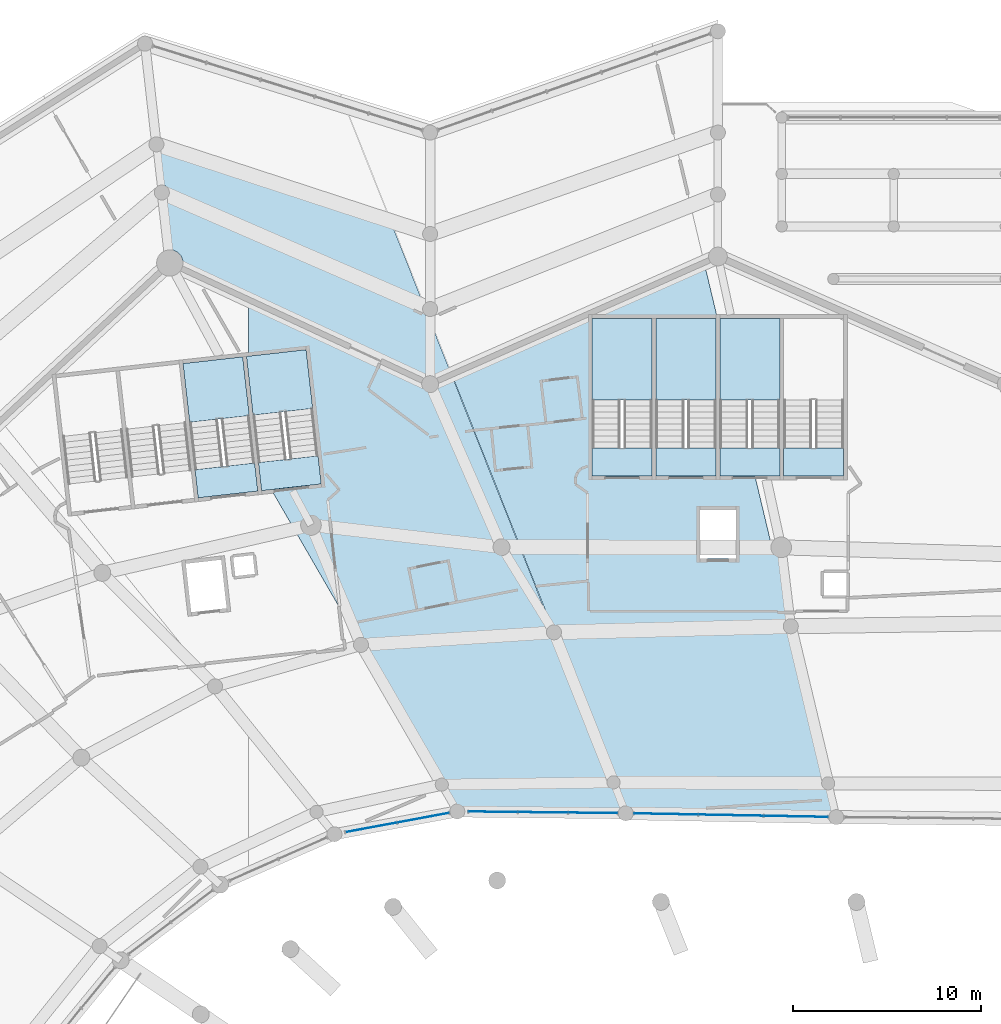
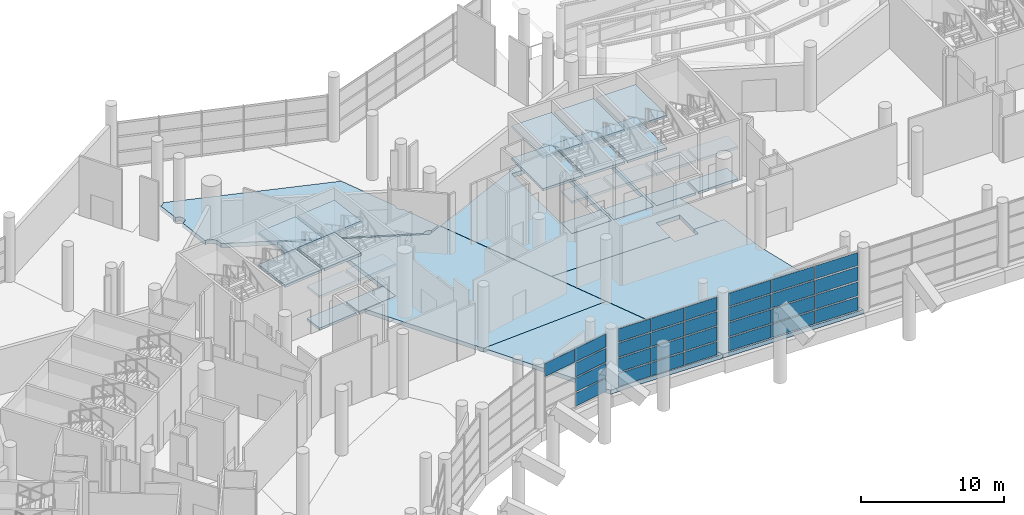
# One storey, part 144 of 271: 29 plates, 27 slabs, 9 elements without a shape of their own.
"""IFC4 building model written with IfcOpenShell, lengths in metres."""

from ifc_helpers import new_model, si_unit, direction, frame, origin, origin_2d, place, context, subcontext, project, spatial, polyline, rectangle, outline, extrude, material, layer, layer_set, type_object, element, aggregate, save


model = new_model("IFC4")

# Units and contexts
model_context = context("Model", 3, precision=1e-05, world=origin(), true_north=direction((0.0, 1.0)))
body_context = subcontext(model_context, "Body", "Model", "MODEL_VIEW")
ifc_project = project(units=[si_unit("LENGTHUNIT", "METRE"), si_unit("AREAUNIT", "SQUARE_METRE"), si_unit("VOLUMEUNIT", "CUBIC_METRE"), si_unit("PLANEANGLEUNIT", "RADIAN"), si_unit("MASSUNIT", "GRAM", prefix="KILO")], contexts=[model_context])

# Site, building, storey
site_placement = place(None, origin())
site = spatial("IfcSite", under=ifc_project, at=site_placement, CompositionType="ELEMENT")
building_placement = place(site_placement, origin())
building = spatial("IfcBuilding", under=site, at=building_placement, Name="Meseta Stadium", CompositionType="ELEMENT")
storey_placement = place(building_placement, frame((0.0, 0.0, 6.5)))
storey = spatial("IfcBuildingStorey", under=building, at=storey_placement, Name="L01", CompositionType="ELEMENT", Elevation=6.5)

# Curtain wall, plates
ifc_material_1 = material(Name="Aluminium", Category="aluminium")
ifc_layer_1 = layer(ifc_material_1, 0.199951171875)
ifc_layer_set_1 = layer_set([ifc_layer_1], Name="Club glazing curtain wall")
curtain_wall_type = type_object("IfcCurtainWallType", Name="Club glazing curtain wall", PredefinedType="NOTDEFINED", material=ifc_layer_set_1)
curtain_wall_1_placement = place(storey_placement, origin())
curtain_wall_1 = element("IfcCurtainWall", 1, at=curtain_wall_1_placement, inside=storey, type_object=curtain_wall_type, Name="Club glazing bay 20", PredefinedType="NOTDEFINED")
ifc_material_2 = material(Name="Glass", Category="glass")
ifc_layer_2 = layer(ifc_material_2, 0.028076171875)
ifc_layer_set_2 = layer_set([ifc_layer_2], Name="CW glass panel 28")
plate_type = type_object("IfcPlateType", Name="CW glass panel 28", PredefinedType="CURTAIN_PANEL", material=ifc_layer_set_2)
plate_1_placement = place(storey_placement, frame((-18.847900390625, 75.569091796875, 0.1201171875), z_axis=(0.0, 0.0, 1.0), x_axis=(-0.99983100259, 0.018383858671, 0.0)))
plate_1 = element("IfcPlate", 2, at=plate_1_placement, type_object=plate_type, Name="CWC panel 1.1", PredefinedType="CURTAIN_PANEL", context=body_context, shape_type="SweptSolid", body=[
    extrude(rectangle(XDim=3.382080078125, YDim=0.028076171875, at=origin_2d()), origin(), (0.0, 0.0, 1.0), 1.107421875),
])
plate_2_placement = place(storey_placement, frame((-18.847900390625, 75.569091796875, 1.347412109375), z_axis=(0.0, 0.0, 1.0), x_axis=(-0.99983100259, 0.018383858671, 0.0)))
plate_2 = element("IfcPlate", 3, at=plate_2_placement, type_object=plate_type, Name="CWC panel 1.2", PredefinedType="CURTAIN_PANEL", context=body_context, shape_type="SweptSolid", body=[
    extrude(rectangle(XDim=3.382080078125, YDim=0.028076171875, at=origin_2d()), origin(), (0.0, 0.0, 1.0), 1.16748046875),
])
plate_3_placement = place(storey_placement, frame((-18.847900390625, 75.569091796875, 2.635009765625), z_axis=(0.0, 0.0, 1.0), x_axis=(-0.99983100259, 0.018383858671, 0.0)))
plate_3 = element("IfcPlate", 4, at=plate_3_placement, type_object=plate_type, Name="CWC panel 1.3", PredefinedType="CURTAIN_PANEL", context=body_context, shape_type="SweptSolid", body=[
    extrude(rectangle(XDim=3.382080078125, YDim=0.028076171875, at=origin_2d()), origin(), (0.0, 0.0, 1.0), 1.16748046875),
])
plate_4_placement = place(storey_placement, frame((-18.847900390625, 75.569091796875, 3.922607421875), z_axis=(0.0, 0.0, 1.0), x_axis=(-0.99983100259, 0.018383858671, 0.0)))
plate_4 = element("IfcPlate", 5, at=plate_4_placement, type_object=plate_type, Name="CWC panel 1.4", PredefinedType="CURTAIN_PANEL", context=body_context, shape_type="SweptSolid", body=[
    extrude(rectangle(XDim=3.382080078125, YDim=0.028076171875, at=origin_2d()), origin(), (0.0, 0.0, 1.0), 1.107421875),
])
plate_5_placement = place(storey_placement, frame((-22.30419921875, 75.632568359375, 0.1201171875), z_axis=(0.0, 0.0, 1.0), x_axis=(-0.99983100259, 0.018383858671, 0.0)))
plate_5 = element("IfcPlate", 6, at=plate_5_placement, type_object=plate_type, Name="CWC panel 2.1", PredefinedType="CURTAIN_PANEL", context=body_context, shape_type="SweptSolid", body=[
    extrude(rectangle(XDim=3.411865234375, YDim=0.028076171875, at=origin_2d()), origin(), (0.0, 0.0, 1.0), 1.107421875),
])
plate_6_placement = place(storey_placement, frame((-22.30419921875, 75.632568359375, 1.347412109375), z_axis=(0.0, 0.0, 1.0), x_axis=(-0.99983100259, 0.018383858671, 0.0)))
plate_6 = element("IfcPlate", 7, at=plate_6_placement, type_object=plate_type, Name="CWC panel 2.2", PredefinedType="CURTAIN_PANEL", context=body_context, shape_type="SweptSolid", body=[
    extrude(rectangle(XDim=3.411865234375, YDim=0.028076171875, at=origin_2d()), origin(), (0.0, 0.0, 1.0), 1.16748046875),
])
plate_7_placement = place(storey_placement, frame((-22.30419921875, 75.632568359375, 2.635009765625), z_axis=(0.0, 0.0, 1.0), x_axis=(-0.99983100259, 0.018383858671, 0.0)))
plate_7 = element("IfcPlate", 8, at=plate_7_placement, type_object=plate_type, Name="CWC panel 2.3", PredefinedType="CURTAIN_PANEL", context=body_context, shape_type="SweptSolid", body=[
    extrude(rectangle(XDim=3.411865234375, YDim=0.028076171875, at=origin_2d()), origin(), (0.0, 0.0, 1.0), 1.16748046875),
])
plate_8_placement = place(storey_placement, frame((-22.30419921875, 75.632568359375, 3.922607421875), z_axis=(0.0, 0.0, 1.0), x_axis=(-0.99983100259, 0.018383858671, 0.0)))
plate_8 = element("IfcPlate", 9, at=plate_8_placement, type_object=plate_type, Name="CWC panel 2.4", PredefinedType="CURTAIN_PANEL", context=body_context, shape_type="SweptSolid", body=[
    extrude(rectangle(XDim=3.411865234375, YDim=0.028076171875, at=origin_2d()), origin(), (0.0, 0.0, 1.0), 1.107421875),
])
plate_9_placement = place(storey_placement, frame((-25.7607421875, 75.696044921875, 0.1201171875), z_axis=(0.0, 0.0, 1.0), x_axis=(-0.99983100259, 0.018383858671, 0.0)))
plate_9 = element("IfcPlate", 10, at=plate_9_placement, type_object=plate_type, Name="CWC panel 3.1", PredefinedType="CURTAIN_PANEL", context=body_context, shape_type="SweptSolid", body=[
    extrude(rectangle(XDim=3.382080078125, YDim=0.028076171875, at=origin_2d()), origin(), (0.0, 0.0, 1.0), 1.107421875),
])
plate_10_placement = place(storey_placement, frame((-25.7607421875, 75.696044921875, 1.347412109375), z_axis=(0.0, 0.0, 1.0), x_axis=(-0.99983100259, 0.018383858671, 0.0)))
plate_10 = element("IfcPlate", 11, at=plate_10_placement, type_object=plate_type, Name="CWC panel 3.2", PredefinedType="CURTAIN_PANEL", context=body_context, shape_type="SweptSolid", body=[
    extrude(rectangle(XDim=3.382080078125, YDim=0.028076171875, at=origin_2d()), origin(), (0.0, 0.0, 1.0), 1.16748046875),
])
plate_11_placement = place(storey_placement, frame((-25.7607421875, 75.696044921875, 2.635009765625), z_axis=(0.0, 0.0, 1.0), x_axis=(-0.99983100259, 0.018383858671, 0.0)))
plate_11 = element("IfcPlate", 12, at=plate_11_placement, type_object=plate_type, Name="CWC panel 3.3", PredefinedType="CURTAIN_PANEL", context=body_context, shape_type="SweptSolid", body=[
    extrude(rectangle(XDim=3.382080078125, YDim=0.028076171875, at=origin_2d()), origin(), (0.0, 0.0, 1.0), 1.16748046875),
])
plate_12_placement = place(storey_placement, frame((-25.7607421875, 75.696044921875, 3.922607421875), z_axis=(0.0, 0.0, 1.0), x_axis=(-0.99983100259, 0.018383858671, 0.0)))
plate_12 = element("IfcPlate", 13, at=plate_12_placement, type_object=plate_type, Name="CWC panel 3.4", PredefinedType="CURTAIN_PANEL", context=body_context, shape_type="SweptSolid", body=[
    extrude(rectangle(XDim=3.382080078125, YDim=0.028076171875, at=origin_2d()), origin(), (0.0, 0.0, 1.0), 1.107421875),
])
aggregate(curtain_wall_1, [plate_1, plate_2, plate_3, plate_4, plate_5, plate_6, plate_7, plate_8, plate_9, plate_10, plate_11, plate_12])

curtain_wall_2_placement = place(storey_placement, origin())
curtain_wall_2 = element("IfcCurtainWall", 14, at=curtain_wall_2_placement, inside=storey, type_object=curtain_wall_type, Name="Club glazing bay 21", PredefinedType="NOTDEFINED")
plate_13_placement = place(storey_placement, frame((-29.662109375, 75.754638671875, 0.1201171875), z_axis=(0.0, 0.0, 1.0), x_axis=(-0.999941218201, 0.010842515481, 0.0)))
plate_13 = element("IfcPlate", 15, at=plate_13_placement, type_object=plate_type, Name="CWC panel 1.1", PredefinedType="CURTAIN_PANEL", context=body_context, shape_type="SweptSolid", body=[
    extrude(rectangle(XDim=2.5830078125, YDim=0.028076171875, at=origin_2d()), origin(), (0.0, 0.0, 1.0), 1.107421875),
])
plate_14_placement = place(storey_placement, frame((-29.662109375, 75.754638671875, 1.347412109375), z_axis=(0.0, 0.0, 1.0), x_axis=(-0.999941218201, 0.010842515481, 0.0)))
plate_14 = element("IfcPlate", 16, at=plate_14_placement, type_object=plate_type, Name="CWC panel 1.2", PredefinedType="CURTAIN_PANEL", context=body_context, shape_type="SweptSolid", body=[
    extrude(rectangle(XDim=2.5830078125, YDim=0.028076171875, at=origin_2d()), origin(), (0.0, 0.0, 1.0), 1.16748046875),
])
plate_15_placement = place(storey_placement, frame((-29.662109375, 75.754638671875, 2.635009765625), z_axis=(0.0, 0.0, 1.0), x_axis=(-0.999941218201, 0.010842515481, 0.0)))
plate_15 = element("IfcPlate", 17, at=plate_15_placement, type_object=plate_type, Name="CWC panel 1.3", PredefinedType="CURTAIN_PANEL", context=body_context, shape_type="SweptSolid", body=[
    extrude(rectangle(XDim=2.5830078125, YDim=0.028076171875, at=origin_2d()), origin(), (0.0, 0.0, 1.0), 1.16748046875),
])
plate_16_placement = place(storey_placement, frame((-29.662109375, 75.754638671875, 3.922607421875), z_axis=(0.0, 0.0, 1.0), x_axis=(-0.999941218201, 0.010842515481, 0.0)))
plate_16 = element("IfcPlate", 18, at=plate_16_placement, type_object=plate_type, Name="CWC panel 1.4", PredefinedType="CURTAIN_PANEL", context=body_context, shape_type="SweptSolid", body=[
    extrude(rectangle(XDim=2.5830078125, YDim=0.028076171875, at=origin_2d()), origin(), (0.0, 0.0, 1.0), 1.107421875),
])
plate_17_placement = place(storey_placement, frame((-32.320068359375, 75.783447265625, 0.1201171875), z_axis=(0.0, 0.0, 1.0), x_axis=(-0.999941218201, 0.010842515481, 0.0)))
plate_17 = element("IfcPlate", 19, at=plate_17_placement, type_object=plate_type, Name="CWC panel 2.1", PredefinedType="CURTAIN_PANEL", context=body_context, shape_type="SweptSolid", body=[
    extrude(rectangle(XDim=2.613037109375, YDim=0.028076171875, at=origin_2d()), origin(), (0.0, 0.0, 1.0), 1.107421875),
])
plate_18_placement = place(storey_placement, frame((-32.320068359375, 75.783447265625, 1.347412109375), z_axis=(0.0, 0.0, 1.0), x_axis=(-0.999941218201, 0.010842515481, 0.0)))
plate_18 = element("IfcPlate", 20, at=plate_18_placement, type_object=plate_type, Name="CWC panel 2.2", PredefinedType="CURTAIN_PANEL", context=body_context, shape_type="SweptSolid", body=[
    extrude(rectangle(XDim=2.613037109375, YDim=0.028076171875, at=origin_2d()), origin(), (0.0, 0.0, 1.0), 1.16748046875),
])
plate_19_placement = place(storey_placement, frame((-32.320068359375, 75.783447265625, 2.635009765625), z_axis=(0.0, 0.0, 1.0), x_axis=(-0.999941218201, 0.010842515481, 0.0)))
plate_19 = element("IfcPlate", 21, at=plate_19_placement, type_object=plate_type, Name="CWC panel 2.3", PredefinedType="CURTAIN_PANEL", context=body_context, shape_type="SweptSolid", body=[
    extrude(rectangle(XDim=2.613037109375, YDim=0.028076171875, at=origin_2d()), origin(), (0.0, 0.0, 1.0), 1.16748046875),
])
plate_20_placement = place(storey_placement, frame((-32.320068359375, 75.783447265625, 3.922607421875), z_axis=(0.0, 0.0, 1.0), x_axis=(-0.999941218201, 0.010842515481, 0.0)))
plate_20 = element("IfcPlate", 22, at=plate_20_placement, type_object=plate_type, Name="CWC panel 2.4", PredefinedType="CURTAIN_PANEL", context=body_context, shape_type="SweptSolid", body=[
    extrude(rectangle(XDim=2.613037109375, YDim=0.028076171875, at=origin_2d()), origin(), (0.0, 0.0, 1.0), 1.107421875),
])
plate_21_placement = place(storey_placement, frame((-34.977783203125, 75.812255859375, 0.1201171875), z_axis=(0.0, 0.0, 1.0), x_axis=(-0.999941218201, 0.010842515481, 0.0)))
plate_21 = element("IfcPlate", 23, at=plate_21_placement, type_object=plate_type, Name="CWC panel 3.1", PredefinedType="CURTAIN_PANEL", context=body_context, shape_type="SweptSolid", body=[
    extrude(rectangle(XDim=2.5830078125, YDim=0.028076171875, at=origin_2d()), origin(), (0.0, 0.0, 1.0), 1.107421875),
])
plate_22_placement = place(storey_placement, frame((-34.977783203125, 75.812255859375, 1.347412109375), z_axis=(0.0, 0.0, 1.0), x_axis=(-0.999941218201, 0.010842515481, 0.0)))
plate_22 = element("IfcPlate", 24, at=plate_22_placement, type_object=plate_type, Name="CWC panel 3.2", PredefinedType="CURTAIN_PANEL", context=body_context, shape_type="SweptSolid", body=[
    extrude(rectangle(XDim=2.5830078125, YDim=0.028076171875, at=origin_2d()), origin(), (0.0, 0.0, 1.0), 1.16748046875),
])
plate_23_placement = place(storey_placement, frame((-34.977783203125, 75.812255859375, 2.635009765625), z_axis=(0.0, 0.0, 1.0), x_axis=(-0.999941218201, 0.010842515481, 0.0)))
plate_23 = element("IfcPlate", 25, at=plate_23_placement, type_object=plate_type, Name="CWC panel 3.3", PredefinedType="CURTAIN_PANEL", context=body_context, shape_type="SweptSolid", body=[
    extrude(rectangle(XDim=2.5830078125, YDim=0.028076171875, at=origin_2d()), origin(), (0.0, 0.0, 1.0), 1.16748046875),
])
plate_24_placement = place(storey_placement, frame((-34.977783203125, 75.812255859375, 3.922607421875), z_axis=(0.0, 0.0, 1.0), x_axis=(-0.999941218201, 0.010842515481, 0.0)))
plate_24 = element("IfcPlate", 26, at=plate_24_placement, type_object=plate_type, Name="CWC panel 3.4", PredefinedType="CURTAIN_PANEL", context=body_context, shape_type="SweptSolid", body=[
    extrude(rectangle(XDim=2.5830078125, YDim=0.028076171875, at=origin_2d()), origin(), (0.0, 0.0, 1.0), 1.107421875),
])
aggregate(curtain_wall_2, [plate_13, plate_14, plate_15, plate_16, plate_17, plate_18, plate_19, plate_20, plate_21, plate_22, plate_23, plate_24])

curtain_wall_3_placement = place(storey_placement, origin())
curtain_wall_3 = element("IfcCurtainWall", 27, at=curtain_wall_3_placement, inside=storey, type_object=curtain_wall_type, Name="Club glazing bay 22", PredefinedType="NOTDEFINED")
plate_25_placement = place(storey_placement, frame((-38.69775390625, 75.496337890625, 0.1201171875), z_axis=(0.0, 0.0, 1.0), x_axis=(-0.983187225977, -0.182600324962, 0.0)))
plate_25 = element("IfcPlate", 28, at=plate_25_placement, type_object=plate_type, Name="CWC panel 1.1", PredefinedType="CURTAIN_PANEL", context=body_context, shape_type="SweptSolid", body=[
    extrude(rectangle(XDim=2.76611328125, YDim=0.028076171875, at=origin_2d()), origin(), (0.0, 0.0, 1.0), 1.107421875),
])
plate_26_placement = place(storey_placement, frame((-38.69775390625, 75.496337890625, 1.347412109375), z_axis=(0.0, 0.0, 1.0), x_axis=(-0.983187225977, -0.182600324962, 0.0)))
plate_26 = element("IfcPlate", 29, at=plate_26_placement, type_object=plate_type, Name="CWC panel 1.2", PredefinedType="CURTAIN_PANEL", context=body_context, shape_type="SweptSolid", body=[
    extrude(rectangle(XDim=2.76611328125, YDim=0.028076171875, at=origin_2d()), origin(), (0.0, 0.0, 1.0), 1.16748046875),
])
plate_27_placement = place(storey_placement, frame((-38.69775390625, 75.496337890625, 2.635009765625), z_axis=(0.0, 0.0, 1.0), x_axis=(-0.983187225977, -0.182600324962, 0.0)))
plate_27 = element("IfcPlate", 30, at=plate_27_placement, type_object=plate_type, Name="CWC panel 1.3", PredefinedType="CURTAIN_PANEL", context=body_context, shape_type="SweptSolid", body=[
    extrude(rectangle(XDim=2.76611328125, YDim=0.028076171875, at=origin_2d()), origin(), (0.0, 0.0, 1.0), 1.16748046875),
])
plate_28_placement = place(storey_placement, frame((-38.69775390625, 75.496337890625, 3.922607421875), z_axis=(0.0, 0.0, 1.0), x_axis=(-0.983187225977, -0.182600324962, 0.0)))
plate_28 = element("IfcPlate", 31, at=plate_28_placement, type_object=plate_type, Name="CWC panel 1.4", PredefinedType="CURTAIN_PANEL", context=body_context, shape_type="SweptSolid", body=[
    extrude(rectangle(XDim=2.76611328125, YDim=0.028076171875, at=origin_2d()), origin(), (0.0, 0.0, 1.0), 1.107421875),
])
plate_29_placement = place(storey_placement, frame((-41.476318359375, 74.98046875, 3.922607421875), z_axis=(0.0, 0.0, 1.0), x_axis=(-0.983187225977, -0.182600324962, 0.0)))
plate_29 = element("IfcPlate", 32, at=plate_29_placement, type_object=plate_type, Name="CWC panel 2.4", PredefinedType="CURTAIN_PANEL", context=body_context, shape_type="SweptSolid", body=[
    extrude(rectangle(XDim=2.76611328125, YDim=0.028076171875, at=origin_2d()), origin(), (0.0, 0.0, 1.0), 1.107421875),
])
aggregate(curtain_wall_3, [plate_25, plate_26, plate_27, plate_28, plate_29])

# Slabs
ifc_material_3 = material(Name="Concrete C40/50", Category="concrete")
ifc_layer_3 = layer(ifc_material_3, 0.35009765625)
ifc_layer_set_3 = layer_set([ifc_layer_3], Name="Floor slab 350")
slab_type_1 = type_object("IfcSlabType", Name="Floor slab 350", PredefinedType="FLOOR", material=ifc_layer_set_3)
slab_1_placement = place(storey_placement, frame((0.0, 0.0, -0.35009765625)))
element("IfcSlab", 33, at=slab_1_placement, inside=storey, type_object=slab_type_1, Name="Floor slab L01 sector 14 panel 01", PredefinedType="FLOOR", context=body_context, shape_type="SweptSolid", body=[
    extrude(outline(polyline([(-23.732177734375, 105.0751953125), (-37.177001953125, 99.11279296875), (-33.525390625, 89.911376953125), (-23.949951171875, 89.906005859375), (-23.949951171875, 91.89990234375), (-22.050048828125, 91.89990234375), (-22.050048828125, 89.905029296875), (-20.1201171875, 89.904052734375), (-21.023681640625, 93.699951171875), (-22.89990234375, 93.699951171875), (-22.89990234375, 101.580078125), (-23.732177734375, 105.0751953125)]), holes=[polyline([(-26.300048828125, 93.699951171875), (-26.300048828125, 102.10009765625), (-23.10009765625, 102.10009765625), (-23.10009765625, 93.699951171875), (-26.300048828125, 93.699951171875)]), polyline([(-29.699951171875, 93.699951171875), (-29.699951171875, 102.10009765625), (-26.5, 102.10009765625), (-26.5, 93.699951171875), (-29.699951171875, 93.699951171875)])]), origin(), (0.0, 0.0, 1.0), 0.35009765625),
])
slab_2_placement = place(storey_placement, frame((0.0, 0.0, -0.35009765625)))
element("IfcSlab", 34, at=slab_2_placement, inside=storey, type_object=slab_type_1, Name="Floor slab L01 sector 14 panel 02", PredefinedType="FLOOR", context=body_context, shape_type="SweptSolid", body=[
    extrude(outline(polyline([(-33.525390625, 89.911376953125), (-27.900146484375, 75.7353515625), (-26.03564453125, 75.6962890625), (-24.1630859375, 75.65869140625), (-22.293212890625, 75.623046875), (-20.425537109375, 75.589599609375), (-18.560302734375, 75.558349609375), (-16.697509765625, 75.529296875), (-19.11865234375, 85.6982421875), (-19.62744140625, 89.90380859375), (-22.050048828125, 89.905029296875), (-22.050048828125, 89.300048828125), (-23.949951171875, 89.300048828125), (-23.949951171875, 89.906005859375), (-33.525390625, 89.911376953125)])), origin(), (0.0, 0.0, 1.0), 0.35009765625),
])
slab_3_placement = place(storey_placement, frame((0.0, 0.0, -0.35009765625)))
element("IfcSlab", 35, at=slab_3_placement, inside=storey, type_object=slab_type_1, Name="Floor slab L01 sector 21 panel 14", PredefinedType="FLOOR", context=body_context, shape_type="SweptSolid", body=[
    extrude(outline(polyline([(-31.747314453125, 85.376220703125), (-37.1953125, 99.104736328125), (-38.333251953125, 98.60009765625), (-48.0, 103.0966796875), (-48.0, 100.091064453125), (-44.9404296875, 100.435791015625), (-44.13427734375, 93.281005859375), (-46.7978515625, 92.98095703125), (-42.015380859375, 84.707275390625), (-31.747314453125, 85.376220703125)])), origin(), (0.0, 0.0, 1.0), 0.35009765625),
])
slab_4_placement = place(storey_placement, frame((0.0, 0.0, -0.35009765625)))
element("IfcSlab", 36, at=slab_4_placement, inside=storey, type_object=slab_type_1, Name="Floor slab L01 sector 21 panel 15", PredefinedType="FLOOR", context=body_context, shape_type="SweptSolid", body=[
    extrude(outline(polyline([(-31.747314453125, 85.376220703125), (-42.015380859375, 84.707275390625), (-36.8857421875, 75.8330078125), (-35.775634765625, 75.885986328125), (-34.664306640625, 75.895751953125), (-33.553466796875, 75.8623046875), (-29.7890625, 75.776611328125), (-27.921875, 75.73583984375), (-31.747314453125, 85.376220703125)])), origin(), (0.0, 0.0, 1.0), 0.35009765625),
])
slab_5_placement = place(storey_placement, frame((0.0, 0.0, -0.35009765625)))
element("IfcSlab", 37, at=slab_5_placement, inside=storey, type_object=slab_type_1, Name="Ring floor slab L01 3 part 1 panel 05", PredefinedType="FLOOR", context=body_context, shape_type="SweptSolid", body=[
    extrude(outline(polyline([(-38.722900390625, 102.49560546875), (-38.73681640625, 102.60009765625), (-38.722900390625, 102.704345703125), (-38.6826171875, 102.8017578125), (-38.669189453125, 102.8193359375), (-40.443603515625, 107.29052734375), (-52.53369140625, 111.24755859375), (-52.565673828125, 111.170654296875), (-52.629638671875, 111.087158203125), (-52.71337890625, 111.02294921875), (-52.810546875, 110.982666015625), (-52.8701171875, 110.974853515625), (-52.6708984375, 109.205810546875), (-52.626220703125, 109.211669921875), (-52.521728515625, 109.197998046875), (-52.42431640625, 109.15771484375), (-52.3408203125, 109.093505859375), (-52.276611328125, 109.010009765625), (-52.236328125, 108.91259765625), (-52.22265625, 108.80810546875), (-52.236328125, 108.703857421875), (-52.276611328125, 108.6064453125), (-52.3408203125, 108.52294921875), (-52.42431640625, 108.458740234375), (-52.521728515625, 108.41845703125), (-52.581298828125, 108.41064453125), (-52.28125, 105.747314453125), (-52.202880859375, 105.7578125), (-52.02001953125, 105.733642578125), (-51.849853515625, 105.6630859375), (-51.70361328125, 105.55078125), (-51.59130859375, 105.40478515625), (-51.520751953125, 105.234375), (-51.496826171875, 105.0517578125), (-51.51708984375, 104.898193359375), (-38.65771484375, 98.91650390625), (-38.654296875, 98.9208984375), (-38.560302734375, 98.9931640625), (-38.45068359375, 99.038330078125), (-38.333251953125, 99.053955078125), (-38.2158203125, 99.038330078125), (-38.1064453125, 98.9931640625), (-38.012451171875, 98.9208984375), (-38.004150390625, 98.91015625), (-37.25048828125, 99.244384765625), (-38.427001953125, 102.208984375), (-38.437744140625, 102.210205078125), (-38.53515625, 102.25048828125), (-38.61865234375, 102.314697265625), (-38.6826171875, 102.398193359375), (-38.722900390625, 102.49560546875)])), origin(), (0.0, 0.0, 1.0), 0.35009765625),
])

# Stair, slabs
ifc_material_4 = material(Name="Concrete C40/50", Category="concrete")
stair_type = type_object("IfcStairType", Name="Exit stair 4 flights 153 mm risers", PredefinedType="HALF_TURN_STAIR", material=ifc_material_4)
stair_1_placement = place(storey_placement, origin())
stair_1 = element("IfcStair", 38, at=stair_1_placement, inside=storey, type_object=stair_type, Name="ST41 L01", PredefinedType="HALF_TURN_STAIR")
ifc_material_5 = material(Name="Concrete C40/50", Category="concrete")
ifc_layer_4 = layer(ifc_material_5, 0.199951171875)
ifc_layer_set_4 = layer_set([ifc_layer_4], Name="Stair landing 200")
slab_type_2 = type_object("IfcSlabType", Name="Stair landing 200", PredefinedType="LANDING", material=ifc_layer_set_4)
slab_6_placement = place(storey_placement, frame((0.0, 0.0, 2.550048828125)))
slab_6 = element("IfcSlab", 39, at=slab_6_placement, type_object=slab_type_2, Name="ST41 L01 landing 2", PredefinedType="LANDING", context=body_context, shape_type="SweptSolid", body=[
    extrude(outline(polyline([(-16.300048828125, 93.699951171875), (-16.300048828125, 95.2099609375), (-19.5, 95.2099609375), (-19.5, 93.699951171875), (-16.300048828125, 93.699951171875)])), origin(), (0.0, 0.0, 1.0), 0.199951171875),
])
slab_7_placement = place(storey_placement, frame((0.0, 0.0, -0.199951171875)))
slab_7 = element("IfcSlab", 40, at=slab_7_placement, type_object=slab_type_2, Name="ST41 L01 landing 4", PredefinedType="LANDING", context=body_context, shape_type="SweptSolid", body=[
    extrude(outline(polyline([(-16.300048828125, 93.699951171875), (-16.300048828125, 95.2099609375), (-19.5, 95.2099609375), (-19.5, 93.699951171875), (-16.300048828125, 93.699951171875)])), origin(), (0.0, 0.0, 1.0), 0.199951171875),
])
aggregate(stair_1, [slab_6, slab_7])

stair_2_placement = place(storey_placement, origin())
stair_2 = element("IfcStair", 41, at=stair_2_placement, inside=storey, type_object=stair_type, Name="ST42 L01", PredefinedType="HALF_TURN_STAIR")
slab_8_placement = place(storey_placement, frame((0.0, 0.0, 1.175048828125)))
slab_8 = element("IfcSlab", 42, at=slab_8_placement, type_object=slab_type_2, Name="ST42 L01 landing 1", PredefinedType="LANDING", context=body_context, shape_type="SweptSolid", body=[
    extrude(outline(polyline([(-19.699951171875, 97.75), (-19.699951171875, 102.10009765625), (-22.89990234375, 102.10009765625), (-22.89990234375, 97.75), (-19.699951171875, 97.75)])), origin(), (0.0, 0.0, 1.0), 0.199951171875),
])
slab_9_placement = place(storey_placement, frame((0.0, 0.0, 2.550048828125)))
slab_9 = element("IfcSlab", 43, at=slab_9_placement, type_object=slab_type_2, Name="ST42 L01 landing 2", PredefinedType="LANDING", context=body_context, shape_type="SweptSolid", body=[
    extrude(outline(polyline([(-19.699951171875, 93.699951171875), (-19.699951171875, 95.2099609375), (-22.89990234375, 95.2099609375), (-22.89990234375, 93.699951171875), (-19.699951171875, 93.699951171875)])), origin(), (0.0, 0.0, 1.0), 0.199951171875),
])
slab_10_placement = place(storey_placement, frame((0.0, 0.0, 3.925048828125)))
slab_10 = element("IfcSlab", 44, at=slab_10_placement, type_object=slab_type_2, Name="ST42 L01 landing 3", PredefinedType="LANDING", context=body_context, shape_type="SweptSolid", body=[
    extrude(outline(polyline([(-19.699951171875, 97.75), (-19.699951171875, 102.10009765625), (-22.89990234375, 102.10009765625), (-22.89990234375, 97.75), (-19.699951171875, 97.75)])), origin(), (0.0, 0.0, 1.0), 0.199951171875),
])
slab_11_placement = place(storey_placement, frame((0.0, 0.0, -0.199951171875)))
slab_11 = element("IfcSlab", 45, at=slab_11_placement, type_object=slab_type_2, Name="ST42 L01 landing 4", PredefinedType="LANDING", context=body_context, shape_type="SweptSolid", body=[
    extrude(outline(polyline([(-19.699951171875, 93.699951171875), (-19.699951171875, 95.2099609375), (-22.89990234375, 95.2099609375), (-22.89990234375, 93.699951171875), (-19.699951171875, 93.699951171875)])), origin(), (0.0, 0.0, 1.0), 0.199951171875),
])
aggregate(stair_2, [slab_8, slab_9, slab_10, slab_11])

stair_3_placement = place(storey_placement, origin())
stair_3 = element("IfcStair", 46, at=stair_3_placement, inside=storey, type_object=stair_type, Name="ST43 L01", PredefinedType="HALF_TURN_STAIR")
slab_12_placement = place(storey_placement, frame((0.0, 0.0, 1.175048828125)))
slab_12 = element("IfcSlab", 47, at=slab_12_placement, type_object=slab_type_2, Name="ST43 L01 landing 1", PredefinedType="LANDING", context=body_context, shape_type="SweptSolid", body=[
    extrude(outline(polyline([(-23.10009765625, 97.75), (-23.10009765625, 102.10009765625), (-26.300048828125, 102.10009765625), (-26.300048828125, 97.75), (-23.10009765625, 97.75)])), origin(), (0.0, 0.0, 1.0), 0.199951171875),
])
slab_13_placement = place(storey_placement, frame((0.0, 0.0, 2.550048828125)))
slab_13 = element("IfcSlab", 48, at=slab_13_placement, type_object=slab_type_2, Name="ST43 L01 landing 2", PredefinedType="LANDING", context=body_context, shape_type="SweptSolid", body=[
    extrude(outline(polyline([(-23.10009765625, 93.699951171875), (-23.10009765625, 95.2099609375), (-26.300048828125, 95.2099609375), (-26.300048828125, 93.699951171875), (-23.10009765625, 93.699951171875)])), origin(), (0.0, 0.0, 1.0), 0.199951171875),
])
slab_14_placement = place(storey_placement, frame((0.0, 0.0, 3.925048828125)))
slab_14 = element("IfcSlab", 49, at=slab_14_placement, type_object=slab_type_2, Name="ST43 L01 landing 3", PredefinedType="LANDING", context=body_context, shape_type="SweptSolid", body=[
    extrude(outline(polyline([(-23.10009765625, 97.75), (-23.10009765625, 102.10009765625), (-26.300048828125, 102.10009765625), (-26.300048828125, 97.75), (-23.10009765625, 97.75)])), origin(), (0.0, 0.0, 1.0), 0.199951171875),
])
slab_15_placement = place(storey_placement, frame((0.0, 0.0, -0.199951171875)))
slab_15 = element("IfcSlab", 50, at=slab_15_placement, type_object=slab_type_2, Name="ST43 L01 landing 4", PredefinedType="LANDING", context=body_context, shape_type="SweptSolid", body=[
    extrude(outline(polyline([(-23.10009765625, 93.699951171875), (-23.10009765625, 95.2099609375), (-26.300048828125, 95.2099609375), (-26.300048828125, 93.699951171875), (-23.10009765625, 93.699951171875)])), origin(), (0.0, 0.0, 1.0), 0.199951171875),
])
aggregate(stair_3, [slab_12, slab_13, slab_14, slab_15])

stair_4_placement = place(storey_placement, origin())
stair_4 = element("IfcStair", 51, at=stair_4_placement, inside=storey, type_object=stair_type, Name="ST44 L01", PredefinedType="HALF_TURN_STAIR")
slab_16_placement = place(storey_placement, frame((0.0, 0.0, 1.175048828125)))
slab_16 = element("IfcSlab", 52, at=slab_16_placement, type_object=slab_type_2, Name="ST44 L01 landing 1", PredefinedType="LANDING", context=body_context, shape_type="SweptSolid", body=[
    extrude(outline(polyline([(-26.5, 97.75), (-26.5, 102.10009765625), (-29.699951171875, 102.10009765625), (-29.699951171875, 97.75), (-26.5, 97.75)])), origin(), (0.0, 0.0, 1.0), 0.199951171875),
])
slab_17_placement = place(storey_placement, frame((0.0, 0.0, 2.550048828125)))
slab_17 = element("IfcSlab", 53, at=slab_17_placement, type_object=slab_type_2, Name="ST44 L01 landing 2", PredefinedType="LANDING", context=body_context, shape_type="SweptSolid", body=[
    extrude(outline(polyline([(-26.5, 93.699951171875), (-26.5, 95.2099609375), (-29.699951171875, 95.2099609375), (-29.699951171875, 93.699951171875), (-26.5, 93.699951171875)])), origin(), (0.0, 0.0, 1.0), 0.199951171875),
])
slab_18_placement = place(storey_placement, frame((0.0, 0.0, 3.925048828125)))
slab_18 = element("IfcSlab", 54, at=slab_18_placement, type_object=slab_type_2, Name="ST44 L01 landing 3", PredefinedType="LANDING", context=body_context, shape_type="SweptSolid", body=[
    extrude(outline(polyline([(-26.5, 97.75), (-26.5, 102.10009765625), (-29.699951171875, 102.10009765625), (-29.699951171875, 97.75), (-26.5, 97.75)])), origin(), (0.0, 0.0, 1.0), 0.199951171875),
])
slab_19_placement = place(storey_placement, frame((0.0, 0.0, -0.199951171875)))
slab_19 = element("IfcSlab", 55, at=slab_19_placement, type_object=slab_type_2, Name="ST44 L01 landing 4", PredefinedType="LANDING", context=body_context, shape_type="SweptSolid", body=[
    extrude(outline(polyline([(-26.5, 93.699951171875), (-26.5, 95.2099609375), (-29.699951171875, 95.2099609375), (-29.699951171875, 93.699951171875), (-26.5, 93.699951171875)])), origin(), (0.0, 0.0, 1.0), 0.199951171875),
])
aggregate(stair_4, [slab_16, slab_17, slab_18, slab_19])

stair_5_placement = place(storey_placement, origin())
stair_5 = element("IfcStair", 56, at=stair_5_placement, inside=storey, type_object=stair_type, Name="ST45 L01", PredefinedType="HALF_TURN_STAIR")
slab_20_placement = place(storey_placement, frame((0.0, 0.0, 1.175048828125)))
slab_20 = element("IfcSlab", 57, at=slab_20_placement, type_object=slab_type_2, Name="ST45 L01 landing 1", PredefinedType="LANDING", context=body_context, shape_type="SweptSolid", body=[
    extrude(outline(polyline([(-44.587646484375, 97.3056640625), (-44.9404296875, 100.435791015625), (-48.1201171875, 100.077392578125), (-47.767578125, 96.947265625), (-44.587646484375, 97.3056640625)])), origin(), (0.0, 0.0, 1.0), 0.199951171875),
])
slab_21_placement = place(storey_placement, frame((0.0, 0.0, 2.550048828125)))
slab_21 = element("IfcSlab", 58, at=slab_21_placement, type_object=slab_type_2, Name="ST45 L01 landing 2", PredefinedType="LANDING", context=body_context, shape_type="SweptSolid", body=[
    extrude(outline(polyline([(-44.13427734375, 93.281005859375), (-44.30322265625, 94.781494140625), (-47.483154296875, 94.42333984375), (-47.314208984375, 92.9228515625), (-44.13427734375, 93.281005859375)])), origin(), (0.0, 0.0, 1.0), 0.199951171875),
])
slab_22_placement = place(storey_placement, frame((0.0, 0.0, 3.925048828125)))
slab_22 = element("IfcSlab", 59, at=slab_22_placement, type_object=slab_type_2, Name="ST45 L01 landing 3", PredefinedType="LANDING", context=body_context, shape_type="SweptSolid", body=[
    extrude(outline(polyline([(-44.587646484375, 97.3056640625), (-44.9404296875, 100.435791015625), (-48.1201171875, 100.077392578125), (-47.767578125, 96.947265625), (-44.587646484375, 97.3056640625)])), origin(), (0.0, 0.0, 1.0), 0.199951171875),
])
slab_23_placement = place(storey_placement, frame((0.0, 0.0, -0.199951171875)))
slab_23 = element("IfcSlab", 60, at=slab_23_placement, type_object=slab_type_2, Name="ST45 L01 landing 4", PredefinedType="LANDING", context=body_context, shape_type="SweptSolid", body=[
    extrude(outline(polyline([(-44.13427734375, 93.281005859375), (-44.30322265625, 94.781494140625), (-47.483154296875, 94.42333984375), (-47.314208984375, 92.9228515625), (-44.13427734375, 93.281005859375)])), origin(), (0.0, 0.0, 1.0), 0.199951171875),
])
aggregate(stair_5, [slab_20, slab_21, slab_22, slab_23])

stair_6_placement = place(storey_placement, origin())
stair_6 = element("IfcStair", 61, at=stair_6_placement, inside=storey, type_object=stair_type, Name="ST46 L01", PredefinedType="HALF_TURN_STAIR")
slab_24_placement = place(storey_placement, frame((0.0, 0.0, 1.175048828125)))
slab_24 = element("IfcSlab", 62, at=slab_24_placement, type_object=slab_type_2, Name="ST46 L01 landing 1", PredefinedType="LANDING", context=body_context, shape_type="SweptSolid", body=[
    extrude(outline(polyline([(-47.96630859375, 96.9248046875), (-48.319091796875, 100.05517578125), (-51.498779296875, 99.69677734375), (-51.146240234375, 96.566650390625), (-47.96630859375, 96.9248046875)])), origin(), (0.0, 0.0, 1.0), 0.199951171875),
])
slab_25_placement = place(storey_placement, frame((0.0, 0.0, 2.550048828125)))
slab_25 = element("IfcSlab", 63, at=slab_25_placement, type_object=slab_type_2, Name="ST46 L01 landing 2", PredefinedType="LANDING", context=body_context, shape_type="SweptSolid", body=[
    extrude(outline(polyline([(-47.512939453125, 92.900390625), (-47.681884765625, 94.40087890625), (-50.86181640625, 94.04248046875), (-50.692626953125, 92.5419921875), (-47.512939453125, 92.900390625)])), origin(), (0.0, 0.0, 1.0), 0.199951171875),
])
slab_26_placement = place(storey_placement, frame((0.0, 0.0, 3.925048828125)))
slab_26 = element("IfcSlab", 64, at=slab_26_placement, type_object=slab_type_2, Name="ST46 L01 landing 3", PredefinedType="LANDING", context=body_context, shape_type="SweptSolid", body=[
    extrude(outline(polyline([(-47.96630859375, 96.9248046875), (-48.319091796875, 100.05517578125), (-51.498779296875, 99.69677734375), (-51.146240234375, 96.566650390625), (-47.96630859375, 96.9248046875)])), origin(), (0.0, 0.0, 1.0), 0.199951171875),
])
slab_27_placement = place(storey_placement, frame((0.0, 0.0, -0.199951171875)))
slab_27 = element("IfcSlab", 65, at=slab_27_placement, type_object=slab_type_2, Name="ST46 L01 landing 4", PredefinedType="LANDING", context=body_context, shape_type="SweptSolid", body=[
    extrude(outline(polyline([(-47.512939453125, 92.900390625), (-47.681884765625, 94.40087890625), (-50.86181640625, 94.04248046875), (-50.692626953125, 92.5419921875), (-47.512939453125, 92.900390625)])), origin(), (0.0, 0.0, 1.0), 0.199951171875),
])
aggregate(stair_6, [slab_24, slab_25, slab_26, slab_27])

save(model, "model.ifc")
